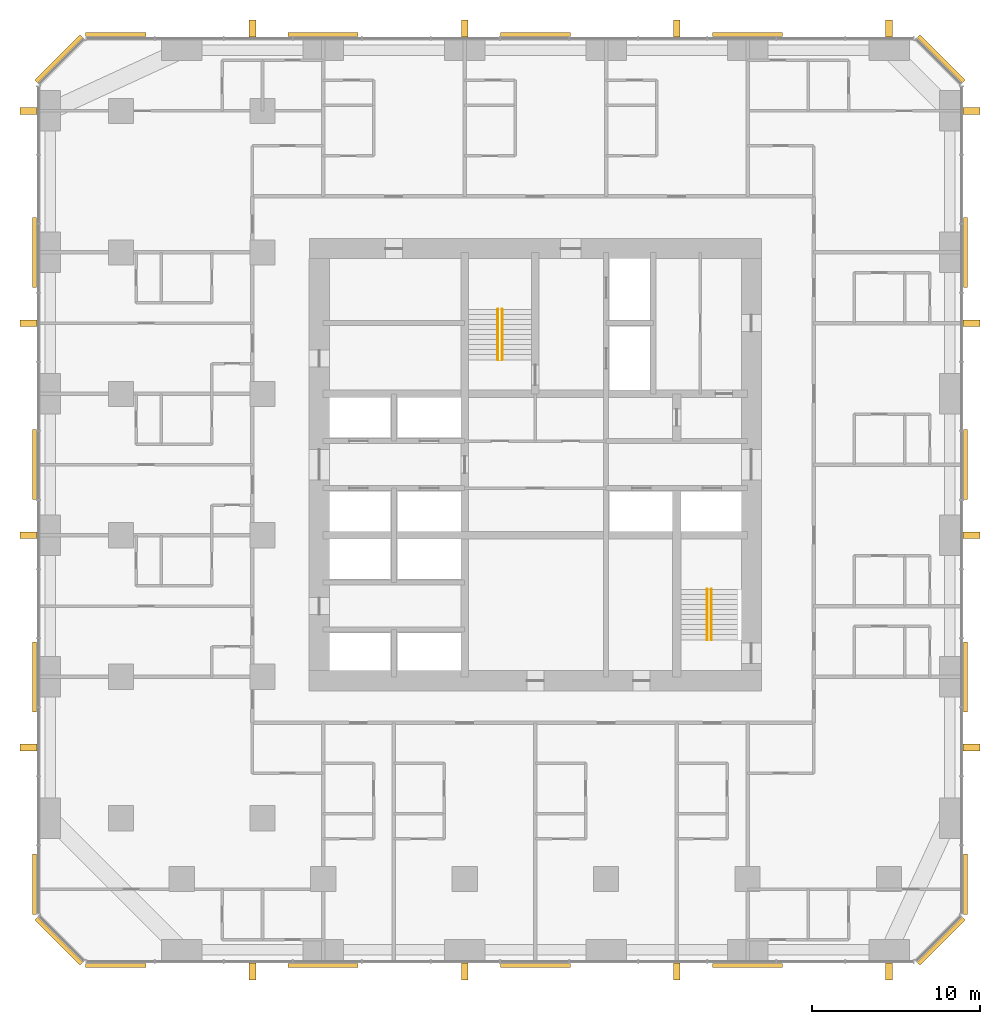
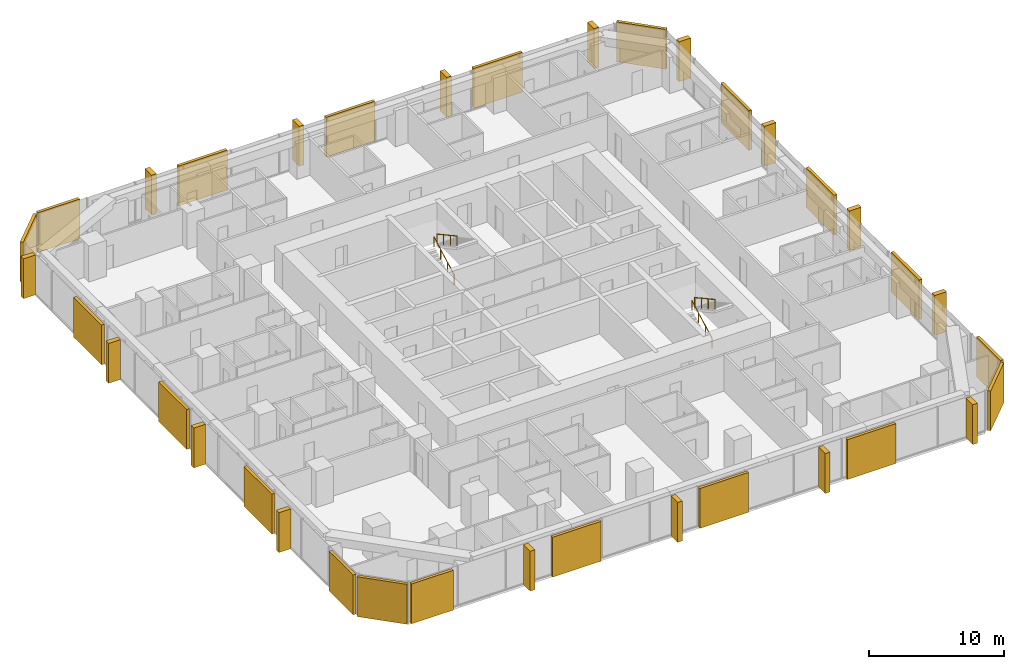
# One storey, part 14 of 14: 20 coverings, 16 shading devices, 4 railings.
"""IFC4 building model written with IfcOpenShell, lengths in metres."""

import ifcopenshell
import ifcopenshell.guid

model = None  # the IFC model being written
_history = None  # IfcOwnerHistory: only IFC2X3 demands one
_inside = {}  # id of a spatial element -> (the spatial element, [elements in it])
_under = {}  # id of a project, library or spatial element -> (it, [spatial elements below it])
_declared = {}  # id of a project -> (the project, [libraries it declares])
_typed = {}  # id of a type object -> (the type object, [elements of that type])
_made_of = {}  # id of a material, layer set ... -> (it, [elements and type objects made of it])


def new_model(schema):
    """Start an empty IFC model of exactly this schema.

    Asked for "IFC4X3", IfcOpenShell would pick the latest addendum, in which some entities
    have other attributes; the version numbers below select the first issue.
    IFC2X3 requires an IfcOwnerHistory on every rooted entity: one is made here for all.
    """
    global model, _history
    if schema == "IFC4X3":
        model = ifcopenshell.file(schema_version=(4, 3, 0, 0))
    else:
        model = ifcopenshell.file(schema=schema)
    _inside.clear()
    _under.clear()
    _declared.clear()
    _typed.clear()
    _made_of.clear()
    _history = None
    if model.schema == "IFC2X3":
        org = make("IfcOrganization", Name="unknown")
        user = make(
            "IfcPersonAndOrganization",
            ThePerson=make("IfcPerson", FamilyName="unknown"),
            TheOrganization=org,
        )
        app = make(
            "IfcApplication",
            ApplicationDeveloper=org,
            Version="unknown",
            ApplicationFullName="unknown",
            ApplicationIdentifier="unknown",
        )
        _history = make(
            "IfcOwnerHistory",
            OwningUser=user,
            OwningApplication=app,
            ChangeAction="ADDED",
            CreationDate=0,
        )
    return model


def make(cls, **values):
    """One entity of the class cls with the attributes given. An attribute that is None is left unset."""
    return model.create_entity(
        cls, **{name: value for name, value in values.items() if value is not None}
    )


def rooted(cls, **values):
    """An entity with a GlobalId (a new one), such as an element, a storey or a relation."""
    return make(cls, GlobalId=ifcopenshell.guid.new(), OwnerHistory=_history, **values)


def si_unit(unit_type, name, prefix=None):
    """IfcSIUnit, for example si_unit("LENGTHUNIT", "METRE", prefix="MILLI")."""
    return make("IfcSIUnit", UnitType=unit_type, Prefix=prefix, Name=name)


def assignment(units):
    """IfcUnitAssignment: the units of a project."""
    return None if units is None else make("IfcUnitAssignment", Units=units)


def point(xyz):
    """IfcCartesianPoint."""
    return None if xyz is None else make("IfcCartesianPoint", Coordinates=xyz)


def direction(xyz):
    """IfcDirection."""
    return None if xyz is None else make("IfcDirection", DirectionRatios=xyz)


def frame(location, z_axis=None, x_axis=None):
    """IfcAxis2Placement3D, a coordinate frame: its origin and axes. An axis left out is left unset."""
    return make(
        "IfcAxis2Placement3D",
        Location=point(location),
        Axis=direction(z_axis),
        RefDirection=direction(x_axis),
    )


def frame_2d(location, x_axis=None):
    """IfcAxis2Placement2D, a coordinate frame in the plane: its origin and x axis."""
    return make(
        "IfcAxis2Placement2D", Location=point(location), RefDirection=direction(x_axis)
    )


def origin():
    """The frame at (0, 0, 0) with its axes left unset."""
    return frame((0.0, 0.0, 0.0))


def origin_2d():
    """The frame at (0, 0) in the plane with its x axis left unset."""
    return frame_2d((0.0, 0.0))


def place(relative_to, where):
    """IfcLocalPlacement: puts the frame where relative to a parent placement (None: the world)."""
    return make(
        "IfcLocalPlacement", PlacementRelTo=relative_to, RelativePlacement=where
    )


def context(
    kind, dimensions, precision=None, world=None, true_north=None, identifier=None
):
    """IfcGeometricRepresentationContext, for example the 3D "Model" context."""
    return make(
        "IfcGeometricRepresentationContext",
        ContextIdentifier=identifier,
        ContextType=kind,
        CoordinateSpaceDimension=dimensions,
        Precision=precision,
        WorldCoordinateSystem=world,
        TrueNorth=true_north,
    )


def subcontext(parent, identifier, kind, view, scale=None):
    """IfcGeometricRepresentationSubContext, for example "Body" below "Model"."""
    return make(
        "IfcGeometricRepresentationSubContext",
        ContextIdentifier=identifier,
        ContextType=kind,
        ParentContext=parent,
        TargetScale=scale,
        TargetView=view,
    )


def project(units=None, contexts=None):
    """IfcProject with its units and contexts."""
    return rooted(
        "IfcProject",
        Name="project",
        RepresentationContexts=contexts,
        UnitsInContext=assignment(units),
    )


def spatial(cls, under=None, at=None, **own):
    """A site, building, storey or space (cls), placed at a placement, below another one or the project."""
    s = rooted(cls, ObjectPlacement=at, **own)
    if under is not None:
        _under.setdefault(under.id(), (under, []))[1].append(s)
    return s


def profile(cls, at=None, kind="AREA", **sizes):
    """A parametric profile (cls). Its sizes go by their IFC names, for example OverallWidth=200.0."""
    return make(cls, ProfileType=kind, Position=at, **sizes)


def rectangle(**sizes):
    """IfcRectangleProfileDef."""
    return profile("IfcRectangleProfileDef", **sizes)


def circle(**sizes):
    """IfcCircleProfileDef."""
    return profile("IfcCircleProfileDef", **sizes)


def extrude(swept, where, along, depth):
    """IfcExtrudedAreaSolid: the profile swept, set in the frame where, extruded along a direction by depth."""
    return make(
        "IfcExtrudedAreaSolid",
        SweptArea=swept,
        Position=where,
        ExtrudedDirection=direction(along),
        Depth=depth,
    )


def shape(context_of_items, identifier, shape_type, items):
    """IfcShapeRepresentation: the items that make up one representation, for example the "Body"."""
    return make(
        "IfcShapeRepresentation",
        ContextOfItems=context_of_items,
        RepresentationIdentifier=identifier,
        RepresentationType=shape_type,
        Items=items,
    )


def material(Name=None, Category=None):
    """IfcMaterial."""
    return make("IfcMaterial", Name=Name, Category=Category)


def layer(
    of_material, thickness, ventilated=None, Name=None, Category=None, Priority=None
):
    """IfcMaterialLayer: one layer of a wall or slab, of a material (None: an air gap)."""
    return make(
        "IfcMaterialLayer",
        Material=of_material,
        LayerThickness=thickness,
        IsVentilated=ventilated,
        Name=Name,
        Category=Category,
        Priority=Priority,
    )


def layer_set(layers, Name=None):
    """IfcMaterialLayerSet."""
    return make("IfcMaterialLayerSet", MaterialLayers=layers, LayerSetName=Name)


def made_of(thing, what):
    """Note that an element or type object is made of a material, layer set ...; save() writes the relation."""
    if what is not None:
        _made_of.setdefault(what.id(), (what, []))[1].append(thing)
    return thing


def type_object(cls, material=None, **own):
    """A type object (cls), such as IfcWallType, which elements share."""
    return made_of(rooted(cls, **own), material)


def element(
    cls,
    number,
    at=None,
    inside=None,
    cuts=None,
    type_object=None,
    material=None,
    context=None,
    identifier="Body",
    shape_type=None,
    held_by="IfcProductDefinitionShape",
    body=None,
    shapes=None,
    **own,
):
    """One element of the class cls, such as IfcWall. Its Tag is "e" and its number.

    at: its placement. inside: the storey or other place that contains it. cuts: it is an
    opening in that element (IfcRelVoidsElement). A single representation is given by context,
    identifier, shape_type and body (its items); several are given by shapes. held_by: the class
    of the entity that holds the representations. save() writes the other relations.
    """
    e = rooted(cls, Tag="e%d" % number, ObjectPlacement=at, **own)
    if body is not None:
        shapes = [shape(context, identifier, shape_type, body)]
    if shapes is not None:
        e.Representation = make(held_by, Representations=shapes)
    if inside is not None:
        _inside.setdefault(inside.id(), (inside, []))[1].append(e)
    if cuts is not None:
        rooted(
            "IfcRelVoidsElement", RelatingBuildingElement=cuts, RelatedOpeningElement=e
        )
    if type_object is not None:
        _typed.setdefault(type_object.id(), (type_object, []))[1].append(e)
    return made_of(e, material)


def aggregate(whole, parts):
    """IfcRelAggregates: a whole, such as a stair, and the parts it consists of."""
    return rooted("IfcRelAggregates", RelatingObject=whole, RelatedObjects=parts)


def save(model, path):
    """Write the relations noted so far, then the file.

    IfcRelAggregates (storeys below a building ...), IfcRelContainedInSpatialStructure (elements
    in a storey), IfcRelDefinesByType, IfcRelAssociatesMaterial and IfcRelDeclares: one each for
    every whole, place, type object, material and project.
    """
    for whole, parts in _under.values():
        aggregate(whole, parts)
    for where, things in _inside.values():
        rooted(
            "IfcRelContainedInSpatialStructure",
            RelatedElements=things,
            RelatingStructure=where,
        )
    for kind, things in _typed.values():
        rooted("IfcRelDefinesByType", RelatedObjects=things, RelatingType=kind)
    for what, things in _made_of.values():
        rooted("IfcRelAssociatesMaterial", RelatedObjects=things, RelatingMaterial=what)
    for by, libraries in _declared.values():
        rooted("IfcRelDeclares", RelatingContext=by, RelatedDefinitions=libraries)
    model.write(path)


model = new_model("IFC4")

# Units and contexts
model_context = context("Model", 3, precision=1e-05, world=origin(), true_north=direction((0.0, 1.0)))
body_context = subcontext(model_context, "Body", "Model", "MODEL_VIEW")
ifc_project = project(units=[si_unit("LENGTHUNIT", "METRE"), si_unit("AREAUNIT", "SQUARE_METRE"), si_unit("VOLUMEUNIT", "CUBIC_METRE"), si_unit("PLANEANGLEUNIT", "RADIAN"), si_unit("MASSUNIT", "GRAM", prefix="KILO")], contexts=[model_context])

# Site, building, storey
site_placement = place(None, origin())
site = spatial("IfcSite", under=ifc_project, at=site_placement, CompositionType="ELEMENT")
building_placement = place(site_placement, origin())
building = spatial("IfcBuilding", under=site, at=building_placement, Name="Dunama Terrace Hotel", CompositionType="ELEMENT")
storey_placement = place(building_placement, frame((0.0, 0.0, 104.39990234375)))
storey = spatial("IfcBuildingStorey", under=building, at=storey_placement, Name="L26", CompositionType="ELEMENT", Elevation=104.39990234375)

# Railings
ifc_material_1 = material(Name="Stainless steel handrail", Category="steel")
railing_type = type_object("IfcRailingType", Name="Stair handrail 900", PredefinedType="HANDRAIL", material=ifc_material_1)
railing_1_placement = place(storey_placement, frame((27.175048828125, 35.625, 0.163818359375)))
element("IfcRailing", 1, at=railing_1_placement, inside=storey, type_object=railing_type, Name="Handrail ST1 L26", PredefinedType="HANDRAIL", context=body_context, shape_type="SweptSolid", body=[
    extrude(circle(Radius=0.02392578125, at=origin_2d()), frame((0.0, 0.0, 0.8759765625), z_axis=(0.0, 0.877911954615, 0.47882209634), x_axis=(-1.0, 0.0, 0.0)), (0.0, 0.0, 1.0), 3.417236328125),
    extrude(circle(Radius=0.02099609375, at=origin_2d()), origin(), (0.0, 0.0, 1.0), 0.851806640625),
    extrude(circle(Radius=0.02099609375, at=origin_2d()), frame((0.0, 1.0, 0.54541015625)), (0.0, 0.0, 1.0), 0.851806640625),
    extrude(circle(Radius=0.02099609375, at=origin_2d()), frame((0.0, 2.0, 1.0908203125)), (0.0, 0.0, 1.0), 0.851806640625),
    extrude(circle(Radius=0.02099609375, at=origin_2d()), frame((0.0, 3.0, 1.63623046875)), (0.0, 0.0, 1.0), 0.851806640625),
])
railing_2_placement = place(storey_placement, frame((27.425048828125, 38.625, 1.963623046875)))
element("IfcRailing", 2, at=railing_2_placement, inside=storey, type_object=railing_type, Name="Handrail ST1 L26", PredefinedType="HANDRAIL", context=body_context, shape_type="SweptSolid", body=[
    extrude(circle(Radius=0.02392578125, at=origin_2d()), frame((0.0, 0.0, 0.8759765625), z_axis=(0.0, -0.877881921179, 0.478877158013), x_axis=(1.0, 0.0, 0.0)), (0.0, 0.0, 1.0), 3.417236328125),
    extrude(circle(Radius=0.02099609375, at=origin_2d()), origin(), (0.0, 0.0, 1.0), 0.851806640625),
    extrude(circle(Radius=0.02099609375, at=origin_2d()), frame((0.0, -1.0, 0.54541015625)), (0.0, 0.0, 1.0), 0.851806640625),
    extrude(circle(Radius=0.02099609375, at=origin_2d()), frame((0.0, -2.0, 1.091064453125)), (0.0, 0.0, 1.0), 0.851806640625),
    extrude(circle(Radius=0.02099609375, at=origin_2d()), frame((0.0, -3.0, 1.636474609375)), (0.0, 0.0, 1.0), 0.851806640625),
])
railing_3_placement = place(storey_placement, frame((39.60009765625, 19.0, 0.163818359375)))
element("IfcRailing", 3, at=railing_3_placement, inside=storey, type_object=railing_type, Name="Handrail ST2 L26", PredefinedType="HANDRAIL", context=body_context, shape_type="SweptSolid", body=[
    extrude(circle(Radius=0.02392578125, at=origin_2d()), frame((0.0, 0.0, 0.8759765625), z_axis=(0.0, 0.877911954615, 0.47882209634), x_axis=(-1.0, 0.0, 0.0)), (0.0, 0.0, 1.0), 3.417236328125),
    extrude(circle(Radius=0.02099609375, at=origin_2d()), origin(), (0.0, 0.0, 1.0), 0.851806640625),
    extrude(circle(Radius=0.02099609375, at=origin_2d()), frame((0.0, 1.0, 0.54541015625)), (0.0, 0.0, 1.0), 0.851806640625),
    extrude(circle(Radius=0.02099609375, at=origin_2d()), frame((0.0, 2.0, 1.0908203125)), (0.0, 0.0, 1.0), 0.851806640625),
    extrude(circle(Radius=0.02099609375, at=origin_2d()), frame((0.0, 3.0, 1.63623046875)), (0.0, 0.0, 1.0), 0.851806640625),
])
railing_4_placement = place(storey_placement, frame((39.85009765625, 22.0, 1.963623046875)))
element("IfcRailing", 4, at=railing_4_placement, inside=storey, type_object=railing_type, Name="Handrail ST2 L26", PredefinedType="HANDRAIL", context=body_context, shape_type="SweptSolid", body=[
    extrude(circle(Radius=0.02392578125, at=origin_2d()), frame((0.0, 0.0, 0.8759765625), z_axis=(0.0, -0.877881921179, 0.478877158013), x_axis=(1.0, 0.0, 0.0)), (0.0, 0.0, 1.0), 3.417236328125),
    extrude(circle(Radius=0.02099609375, at=origin_2d()), origin(), (0.0, 0.0, 1.0), 0.851806640625),
    extrude(circle(Radius=0.02099609375, at=origin_2d()), frame((0.0, -1.0, 0.54541015625)), (0.0, 0.0, 1.0), 0.851806640625),
    extrude(circle(Radius=0.02099609375, at=origin_2d()), frame((0.0, -2.0, 1.091064453125)), (0.0, 0.0, 1.0), 0.851806640625),
    extrude(circle(Radius=0.02099609375, at=origin_2d()), frame((0.0, -3.0, 1.636474609375)), (0.0, 0.0, 1.0), 0.851806640625),
])

# Coverings
ifc_material_2 = material(Name="Warm reconstituted stone panel", Category="masonry")
ifc_layer_1 = layer(ifc_material_2, 0.25)
ifc_layer_set_1 = layer_set([ifc_layer_1], Name="Stone diagonal panel")
covering_type = type_object("IfcCoveringType", Name="Stone diagonal panel", PredefinedType="CLADDING", material=ifc_layer_set_1)
covering_1_placement = place(storey_placement, frame((4.489990234375, -0.343017578125, 0.001953125), z_axis=(0.0, 0.0, 1.0), x_axis=(1.0, 0.0, 0.0)))
element("IfcCovering", 5, at=covering_1_placement, inside=storey, type_object=covering_type, Name="Stone diagonal panel L26", PredefinedType="CLADDING", context=body_context, shape_type="SweptSolid", body=[
    extrude(rectangle(XDim=3.570068359375, YDim=0.25, at=origin_2d()), origin(), (0.0, 0.0, 1.0), 3.595947265625),
])
for number, where, z_axis, x_axis, name in (
    (6, (16.800048828125, -0.343017578125, 0.001953125), (0.0, 0.0, 1.0), (1.0, 0.0, 0.0), "Stone diagonal panel L26"),
    (7, (29.39990234375, -0.343017578125, 0.001953125), (0.0, 0.0, 1.0), (1.0, 0.0, 0.0), "Stone diagonal panel L26"),
    (8, (42.0, -0.343017578125, 0.001953125), (0.0, 0.0, 1.0), (1.0, 0.0, 0.0), "Stone diagonal panel L26"),
):
    element("IfcCovering", number, at=place(storey_placement, frame(where, z_axis=z_axis, x_axis=x_axis)), inside=storey, type_object=covering_type, Name=name, PredefinedType="CLADDING", context=body_context, shape_type="SweptSolid", body=[
        extrude(rectangle(XDim=4.14990234375, YDim=0.25, at=origin_2d()), origin(), (0.0, 0.0, 1.0), 3.595947265625),
    ])
covering_2_placement = place(storey_placement, frame((53.492919921875, 1.10693359375, 0.001953125), z_axis=(0.0, 0.0, 1.0), x_axis=(0.707106781187, 0.707106781187, 0.0)))
element("IfcCovering", 9, at=covering_2_placement, inside=storey, type_object=covering_type, Name="Stone diagonal panel L26", PredefinedType="CLADDING", context=body_context, shape_type="SweptSolid", body=[
    extrude(rectangle(XDim=3.808349609375, YDim=0.25, at=origin_2d()), origin(), (0.0, 0.0, 1.0), 3.595947265625),
])
covering_3_placement = place(storey_placement, frame((54.943115234375, 4.489990234375, 0.001953125), z_axis=(0.0, 0.0, 1.0), x_axis=(0.0, 1.0, 0.0)))
element("IfcCovering", 10, at=covering_3_placement, inside=storey, type_object=covering_type, Name="Stone diagonal panel L26", PredefinedType="CLADDING", context=body_context, shape_type="SweptSolid", body=[
    extrude(rectangle(XDim=3.570068359375, YDim=0.25, at=origin_2d()), origin(), (0.0, 0.0, 1.0), 3.595947265625),
])
for number, where, z_axis, x_axis, name in (
    (11, (54.943115234375, 16.800048828125, 0.001953125), (0.0, 0.0, 1.0), (0.0, 1.0, 0.0), "Stone diagonal panel L26"),
    (12, (54.943115234375, 29.39990234375, 0.001953125), (0.0, 0.0, 1.0), (0.0, 1.0, 0.0), "Stone diagonal panel L26"),
    (13, (54.943115234375, 42.0, 0.001953125), (0.0, 0.0, 1.0), (0.0, 1.0, 0.0), "Stone diagonal panel L26"),
):
    element("IfcCovering", number, at=place(storey_placement, frame(where, z_axis=z_axis, x_axis=x_axis)), inside=storey, type_object=covering_type, Name=name, PredefinedType="CLADDING", context=body_context, shape_type="SweptSolid", body=[
        extrude(rectangle(XDim=4.14990234375, YDim=0.25, at=origin_2d()), origin(), (0.0, 0.0, 1.0), 3.595947265625),
    ])
covering_4_placement = place(storey_placement, frame((53.492919921875, 53.492919921875, 0.001953125), z_axis=(0.0, 0.0, 1.0), x_axis=(-0.707106781187, 0.707106781187, 0.0)))
element("IfcCovering", 14, at=covering_4_placement, inside=storey, type_object=covering_type, Name="Stone diagonal panel L26", PredefinedType="CLADDING", context=body_context, shape_type="SweptSolid", body=[
    extrude(rectangle(XDim=3.808349609375, YDim=0.25, at=origin_2d()), origin(), (0.0, 0.0, 1.0), 3.595947265625),
])
for number, where, z_axis, x_axis, name in (
    (15, (42.0, 54.943115234375, 0.001953125), (0.0, 0.0, 1.0), (-1.0, 0.0, 0.0), "Stone diagonal panel L26"),
    (16, (29.39990234375, 54.943115234375, 0.001953125), (0.0, 0.0, 1.0), (-1.0, 0.0, 0.0), "Stone diagonal panel L26"),
    (17, (16.800048828125, 54.943115234375, 0.001953125), (0.0, 0.0, 1.0), (-1.0, 0.0, 0.0), "Stone diagonal panel L26"),
):
    element("IfcCovering", number, at=place(storey_placement, frame(where, z_axis=z_axis, x_axis=x_axis)), inside=storey, type_object=covering_type, Name=name, PredefinedType="CLADDING", context=body_context, shape_type="SweptSolid", body=[
        extrude(rectangle(XDim=4.14990234375, YDim=0.25, at=origin_2d()), origin(), (0.0, 0.0, 1.0), 3.595947265625),
    ])
covering_5_placement = place(storey_placement, frame((4.489990234375, 54.943115234375, 0.001953125), z_axis=(0.0, 0.0, 1.0), x_axis=(-1.0, 0.0, 0.0)))
element("IfcCovering", 18, at=covering_5_placement, inside=storey, type_object=covering_type, Name="Stone diagonal panel L26", PredefinedType="CLADDING", context=body_context, shape_type="SweptSolid", body=[
    extrude(rectangle(XDim=3.570068359375, YDim=0.25, at=origin_2d()), origin(), (0.0, 0.0, 1.0), 3.595947265625),
])
covering_6_placement = place(storey_placement, frame((1.10693359375, 53.492919921875, 0.001953125), z_axis=(0.0, 0.0, 1.0), x_axis=(-0.707106781187, -0.707106781187, 0.0)))
element("IfcCovering", 19, at=covering_6_placement, inside=storey, type_object=covering_type, Name="Stone diagonal panel L26", PredefinedType="CLADDING", context=body_context, shape_type="SweptSolid", body=[
    extrude(rectangle(XDim=3.808349609375, YDim=0.25, at=origin_2d()), origin(), (0.0, 0.0, 1.0), 3.595947265625),
])
for number, where, z_axis, x_axis, name in (
    (20, (-0.343017578125, 42.0, 0.001953125), (0.0, 0.0, 1.0), (0.0, -1.0, 0.0), "Stone diagonal panel L26"),
    (21, (-0.343017578125, 29.39990234375, 0.001953125), (0.0, 0.0, 1.0), (0.0, -1.0, 0.0), "Stone diagonal panel L26"),
    (22, (-0.343017578125, 16.800048828125, 0.001953125), (0.0, 0.0, 1.0), (0.0, -1.0, 0.0), "Stone diagonal panel L26"),
):
    element("IfcCovering", number, at=place(storey_placement, frame(where, z_axis=z_axis, x_axis=x_axis)), inside=storey, type_object=covering_type, Name=name, PredefinedType="CLADDING", context=body_context, shape_type="SweptSolid", body=[
        extrude(rectangle(XDim=4.14990234375, YDim=0.25, at=origin_2d()), origin(), (0.0, 0.0, 1.0), 3.595947265625),
    ])
covering_7_placement = place(storey_placement, frame((-0.343017578125, 4.489990234375, 0.001953125), z_axis=(0.0, 0.0, 1.0), x_axis=(0.0, -1.0, 0.0)))
element("IfcCovering", 23, at=covering_7_placement, inside=storey, type_object=covering_type, Name="Stone diagonal panel L26", PredefinedType="CLADDING", context=body_context, shape_type="SweptSolid", body=[
    extrude(rectangle(XDim=3.570068359375, YDim=0.25, at=origin_2d()), origin(), (0.0, 0.0, 1.0), 3.595947265625),
])
covering_8_placement = place(storey_placement, frame((1.10693359375, 1.10693359375, 0.001953125), z_axis=(0.0, 0.0, 1.0), x_axis=(0.707106781187, -0.707106781187, 0.0)))
element("IfcCovering", 24, at=covering_8_placement, inside=storey, type_object=covering_type, Name="Stone diagonal panel L26", PredefinedType="CLADDING", context=body_context, shape_type="SweptSolid", body=[
    extrude(rectangle(XDim=3.808349609375, YDim=0.25, at=origin_2d()), origin(), (0.0, 0.0, 1.0), 3.595947265625),
])

# Shading devices
ifc_material_3 = material(Name="Warm reconstituted stone fin", Category="masonry")
ifc_layer_2 = layer(ifc_material_3, 0.39990234375)
ifc_layer_set_2 = layer_set([ifc_layer_2], Name="Warm stone fin 400x1000")
shading_device_type = type_object("IfcShadingDeviceType", Name="Warm stone fin 400x1000", PredefinedType="USERDEFINED", material=ifc_layer_set_2)
for number, where, z_axis, x_axis, name in (
    (25, (12.60009765625, -0.697998046875, 0.0), (0.0, 0.0, 1.0), (1.0, 0.0, 0.0), "Stone fin"),
    (26, (25.199951171875, -0.697998046875, 0.0), (0.0, 0.0, 1.0), (1.0, 0.0, 0.0), "Stone fin"),
    (27, (37.800048828125, -0.697998046875, 0.0), (0.0, 0.0, 1.0), (1.0, 0.0, 0.0), "Stone fin"),
    (28, (50.39990234375, -0.697998046875, 0.0), (0.0, 0.0, 1.0), (1.0, 0.0, 0.0), "Stone fin"),
    (29, (55.298095703125, 12.60009765625, 0.0), (0.0, 0.0, 1.0), (0.0, 1.0, 0.0), "Stone fin"),
    (30, (55.298095703125, 25.199951171875, 0.0), (0.0, 0.0, 1.0), (0.0, 1.0, 0.0), "Stone fin"),
    (31, (55.298095703125, 37.800048828125, 0.0), (0.0, 0.0, 1.0), (0.0, 1.0, 0.0), "Stone fin"),
    (32, (55.298095703125, 50.39990234375, 0.0), (0.0, 0.0, 1.0), (0.0, 1.0, 0.0), "Stone fin"),
    (33, (50.39990234375, 55.298095703125, 0.0), (0.0, 0.0, 1.0), (-1.0, 0.0, 0.0), "Stone fin"),
    (34, (37.800048828125, 55.298095703125, 0.0), (0.0, 0.0, 1.0), (-1.0, 0.0, 0.0), "Stone fin"),
    (35, (25.199951171875, 55.298095703125, 0.0), (0.0, 0.0, 1.0), (-1.0, 0.0, 0.0), "Stone fin"),
    (36, (12.60009765625, 55.298095703125, 0.0), (0.0, 0.0, 1.0), (-1.0, 0.0, 0.0), "Stone fin"),
    (37, (-0.697998046875, 50.39990234375, 0.0), (0.0, 0.0, 1.0), (0.0, -1.0, 0.0), "Stone fin"),
    (38, (-0.697998046875, 37.800048828125, 0.0), (0.0, 0.0, 1.0), (0.0, -1.0, 0.0), "Stone fin"),
    (39, (-0.697998046875, 25.199951171875, 0.0), (0.0, 0.0, 1.0), (0.0, -1.0, 0.0), "Stone fin"),
    (40, (-0.697998046875, 12.60009765625, 0.0), (0.0, 0.0, 1.0), (0.0, -1.0, 0.0), "Stone fin"),
):
    element("IfcShadingDevice", number, at=place(storey_placement, frame(where, z_axis=z_axis, x_axis=x_axis)), inside=storey, type_object=shading_device_type, Name=name, ObjectType="FIN", PredefinedType="USERDEFINED", context=body_context, shape_type="SweptSolid", body=[
        extrude(rectangle(XDim=0.39990234375, YDim=1.0, at=origin_2d()), origin(), (0.0, 0.0, 1.0), 3.60009765625),
    ])

save(model, "model.ifc")
